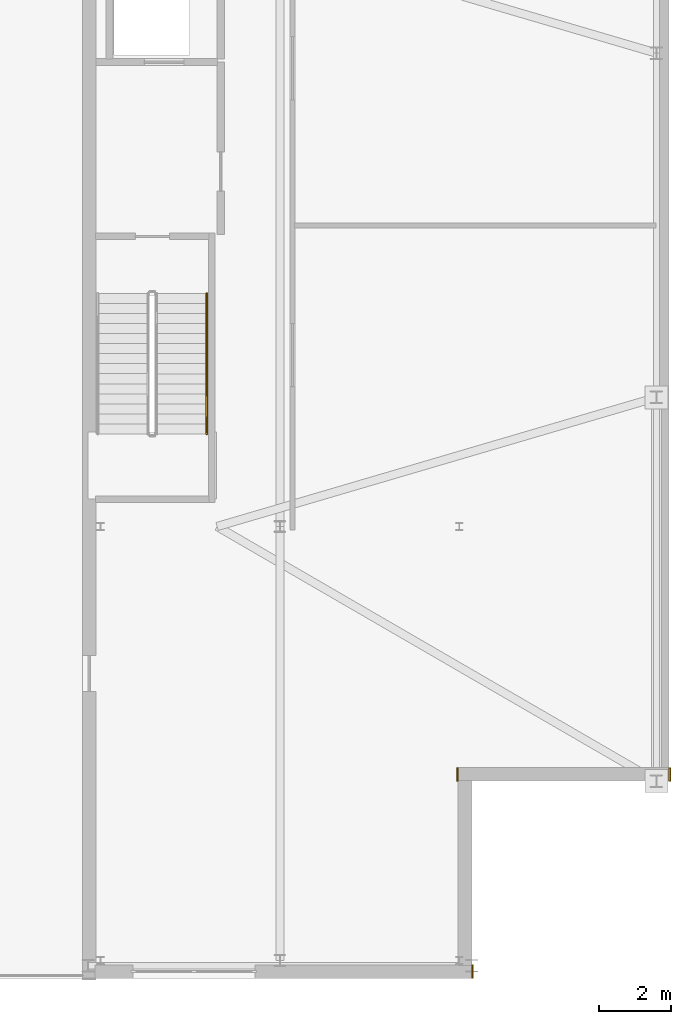
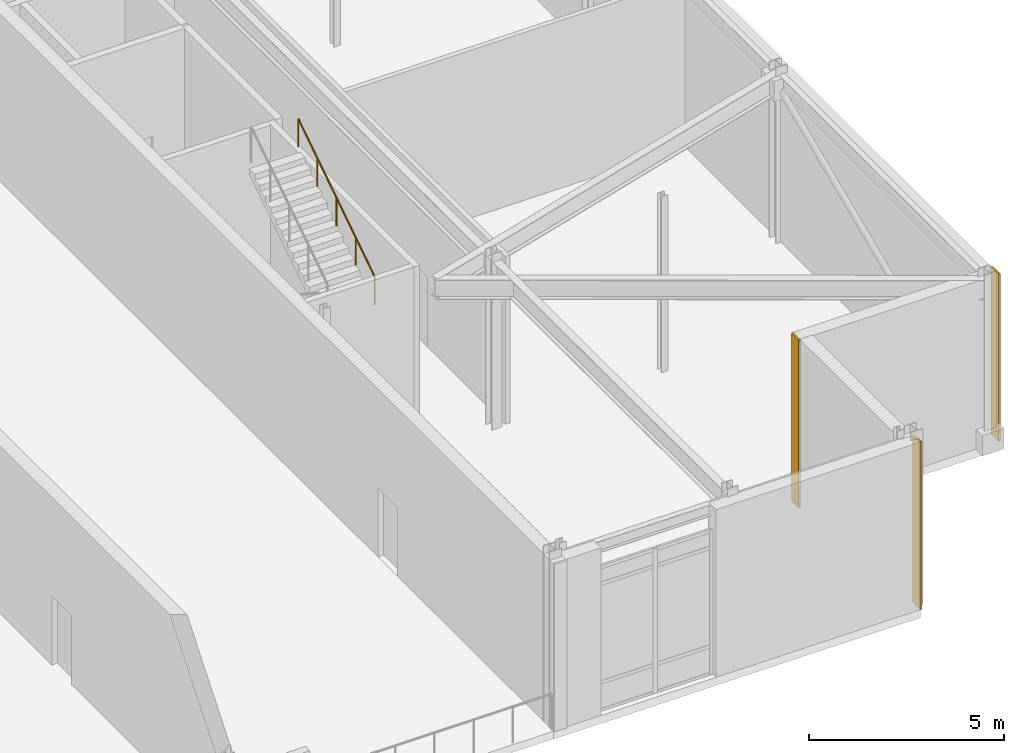
# One storey, part 15 of 16: 3 coverings, 1 railing.
"""IFC4 building model written with IfcOpenShell, lengths in metres."""

from ifc_helpers import new_model, si_unit, direction, frame, frame_2d, origin, origin_2d, place, context, subcontext, project, spatial, rectangle, circle, extrude, material, layer, layer_set, type_object, element, save


model = new_model("IFC4")

# Units and contexts
model_context = context("Model", 3, precision=1e-05, world=origin(), true_north=direction((0.0, 1.0)))
body_context = subcontext(model_context, "Body", "Model", "MODEL_VIEW")
ifc_project = project(units=[si_unit("LENGTHUNIT", "METRE"), si_unit("AREAUNIT", "SQUARE_METRE"), si_unit("VOLUMEUNIT", "CUBIC_METRE"), si_unit("PLANEANGLEUNIT", "RADIAN"), si_unit("MASSUNIT", "GRAM", prefix="KILO")], contexts=[model_context])

# Site, building, storey
site_placement = place(None, origin())
site = spatial("IfcSite", under=ifc_project, at=site_placement, CompositionType="ELEMENT")
building_placement = place(site_placement, origin())
building = spatial("IfcBuilding", under=site, at=building_placement, Name="Cairnveth Concourse Tower", CompositionType="ELEMENT")
storey_placement = place(building_placement, frame((0.0, 0.0, 324.5)))
storey = spatial("IfcBuildingStorey", under=building, at=storey_placement, Name="L89", CompositionType="ELEMENT", Elevation=324.5)

# Coverings
ifc_material_1 = material(Name="Dressed Melbourne Bluestone Cladding", Category="masonry")
ifc_layer = layer(ifc_material_1, 0.050048828125)
ifc_layer_set = layer_set([ifc_layer], Name="Dressed Melbourne Bluestone Cladding")
covering_type = type_object("IfcCoveringType", Name="DRESSED BLUESTONE PLINTH CLADDING 50", PredefinedType="CLADDING", material=ifc_layer_set)
for number, where, z_axis, x_axis, name in (
    (1, (73.02001953125, 23.8798828125, 0.0), (0.0, 0.0, 1.0), (0.0, -1.0, 0.0), "Melbourne Bluestone Corner Quoin L89-1368"),
    (2, (67.10009765625, 23.8798828125, 0.0), (0.0, 0.0, 1.0), (0.0, -1.0, 0.0), "Melbourne Bluestone Corner Quoin L89-1369"),
    (3, (67.52001953125, 18.3798828125, 0.0), (0.0, 0.0, 1.0), (0.0, -1.0, 0.0), "Melbourne Bluestone Corner Quoin L89-1370"),
):
    element("IfcCovering", number, at=place(storey_placement, frame(where, z_axis=z_axis, x_axis=x_axis)), inside=storey, type_object=covering_type, Name=name, PredefinedType="CLADDING", context=body_context, shape_type="SweptSolid", body=[
        extrude(rectangle(XDim=0.3798828125, YDim=0.050048828125, at=frame_2d((0.18994140625, 0.0))), origin(), (0.0, 0.0, 1.0), 5.25),
    ])

# Railing
ifc_material_2 = material(Name="Steel Grade 350", Category="steel")
railing_type = type_object("IfcRailingType", Name="STAIR WALL HANDRAIL 900", PredefinedType="HANDRAIL", material=ifc_material_2)
railing_placement = place(storey_placement, frame((60.110107421875, 33.179931640625, 2.933349609375)))
element("IfcRailing", 4, at=railing_placement, inside=storey, type_object=railing_type, Name="L89 ST-2 stair handrail 2", PredefinedType="HANDRAIL", context=body_context, shape_type="SweptSolid", body=[
    extrude(circle(Radius=0.02392578125, at=origin_2d()), frame((0.0, 0.0, 0.8759765625), z_axis=(0.0, 0.836630751959, 0.54776727255), x_axis=(-1.0, 0.0, 0.0)), (0.0, 0.0, 1.0), 4.685546875),
    extrude(circle(Radius=0.02099609375, at=origin_2d()), origin(), (0.0, 0.0, 1.0), 0.851806640625),
    extrude(circle(Radius=0.02099609375, at=origin_2d()), frame((0.0, 0.97998046875, 0.6416015625)), (0.0, 0.0, 1.0), 0.851806640625),
    extrude(circle(Radius=0.02099609375, at=origin_2d()), frame((0.0, 1.9599609375, 1.283203125)), (0.0, 0.0, 1.0), 0.851806640625),
    extrude(circle(Radius=0.02099609375, at=origin_2d()), frame((0.0, 2.940185546875, 1.925048828125)), (0.0, 0.0, 1.0), 0.851806640625),
    extrude(circle(Radius=0.02099609375, at=origin_2d()), frame((0.0, 3.920166015625, 2.566650390625)), (0.0, 0.0, 1.0), 0.851806640625),
])

save(model, "model.ifc")
